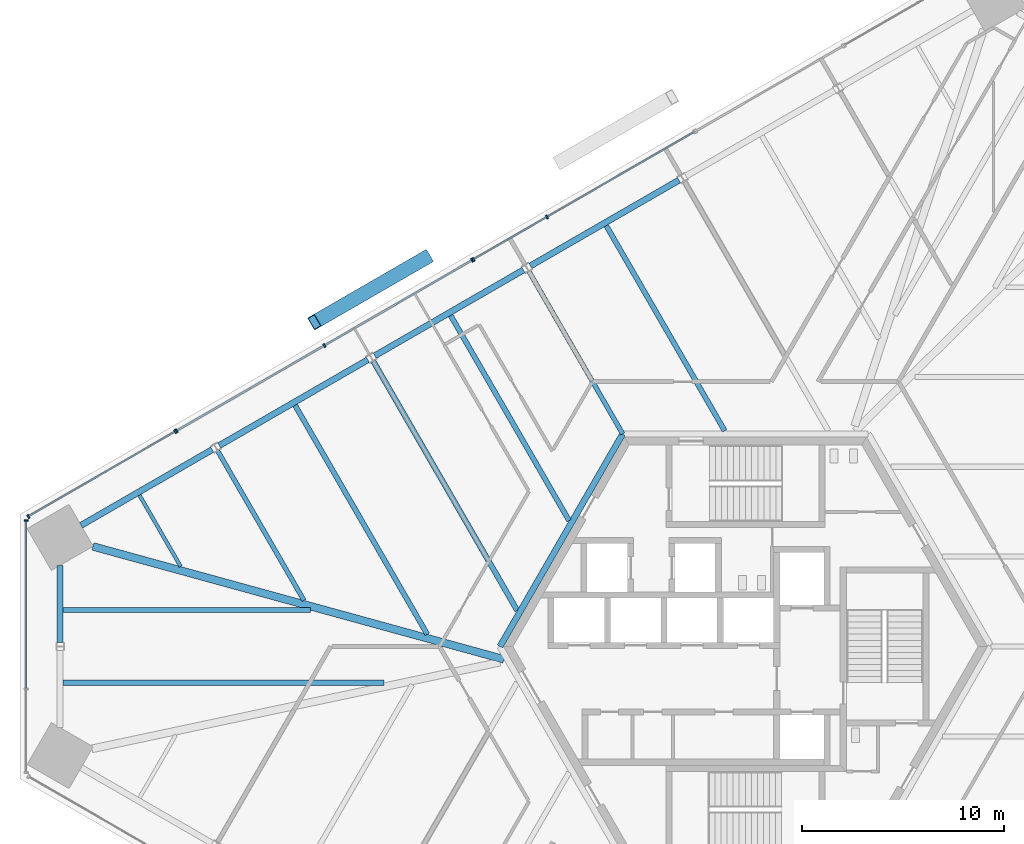
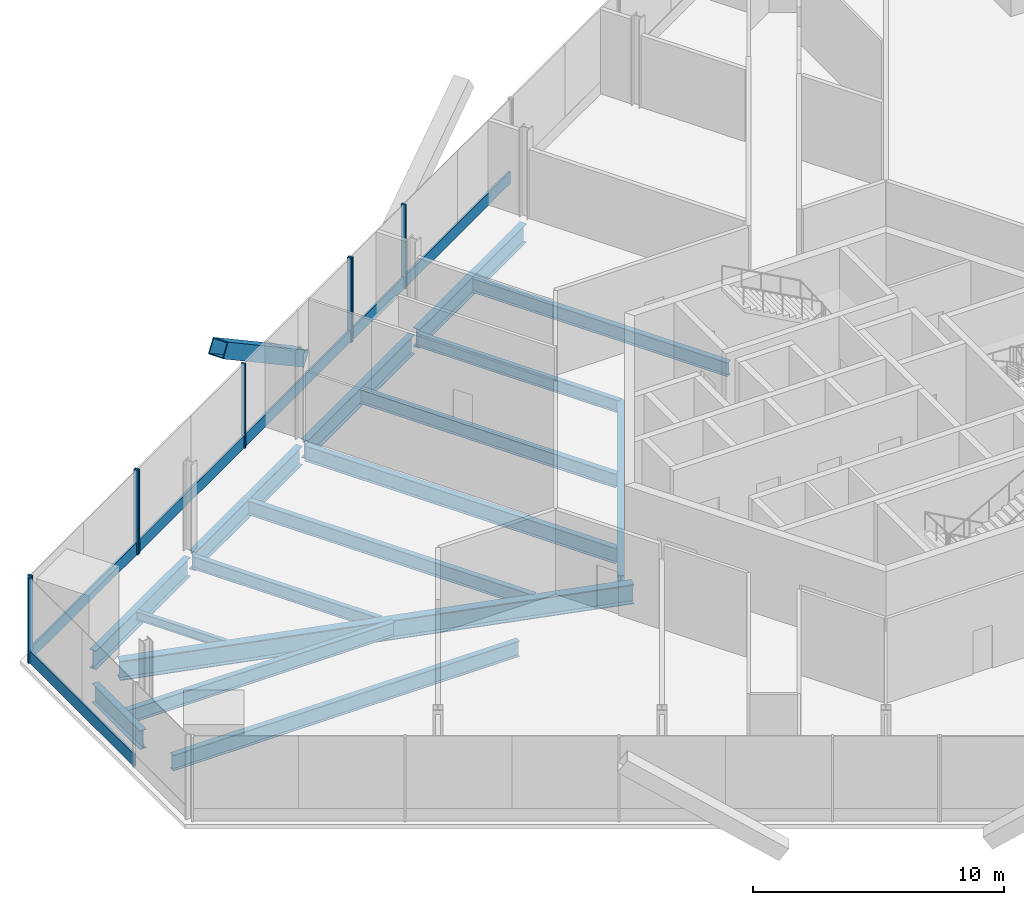
# One storey, part 6 of 16: 16 beams, 15 members, 4 elements without a shape of their own.
"""IFC4 building model written with IfcOpenShell, lengths in metres."""

from ifc_helpers import new_model, si_unit, direction, frame, origin, origin_2d, place, context, subcontext, project, spatial, rectangle, hollow_rectangle, i_section, extrude, source, transform, mapped, material, material_profile, profile_set, type_object, element, aggregate, save


model = new_model("IFC4")

# Units and contexts
model_context = context("Model", 3, precision=1e-05, world=origin(), true_north=direction((0.0, 1.0)))
body_context = subcontext(model_context, "Body", "Model", "MODEL_VIEW")
ifc_project = project(units=[si_unit("LENGTHUNIT", "METRE"), si_unit("AREAUNIT", "SQUARE_METRE"), si_unit("VOLUMEUNIT", "CUBIC_METRE"), si_unit("PLANEANGLEUNIT", "RADIAN"), si_unit("MASSUNIT", "GRAM", prefix="KILO")], contexts=[model_context])

# Site, building, storey
site_placement = place(None, origin())
site = spatial("IfcSite", under=ifc_project, at=site_placement, CompositionType="ELEMENT")
building_placement = place(site_placement, origin())
building = spatial("IfcBuilding", under=site, at=building_placement, Name="Triune Harvest Tower", CompositionType="ELEMENT")
storey_placement = place(building_placement, frame((0.0, 0.0, 37.5)))
storey = spatial("IfcBuildingStorey", under=building, at=storey_placement, Name="L08", CompositionType="ELEMENT", Elevation=37.5)

# Beams
ifc_material_1 = material(Name="Steel ASTM A992 Gr 50", Category="steel")
ifc_material_profile_1 = material_profile(ifc_material_1, i_section(OverallWidth=0.3046875, OverallDepth=0.914306640625, WebThickness=0.0166015625, FlangeThickness=0.02587890625, at=origin_2d()), Name="W36x160")
ifc_profile_set_1 = profile_set([ifc_material_profile_1], Name="Steel ASTM A992 Gr 50")
beam_type_1 = type_object("IfcBeamType", Name="CG-1 Core ring girder W36x160", PredefinedType="BEAM", material=ifc_profile_set_1)
shared_shape_1 = source(origin(), body_context, "Body", "SweptSolid", [
    extrude(i_section(OverallWidth=0.3046875, OverallDepth=0.914306640625, WebThickness=0.0166015625, FlangeThickness=0.02587890625, at=origin_2d()), origin(), (0.0, 0.0, 1.0), 12.176025390625),
])
beam_1_placement = place(storey_placement, frame((-6.087890625, 10.544677734375, -0.6572265625), z_axis=(-0.5000099932, -0.866019634131, 0.0), x_axis=(0.866019634131, -0.5000099932, 0.0)))
element("IfcBeam", 1, at=beam_1_placement, inside=storey, type_object=beam_type_1, Name="beam/L08/CG3", PredefinedType="BEAM", context=body_context, shape_type="MappedRepresentation", body=[
    mapped(shared_shape_1, transform((0.0, 0.0, 0.0), scale=1.0)),
])
ifc_material_2 = material(Name="Steel ASTM A992 Gr 50", Category="steel")
ifc_material_profile_2 = material_profile(ifc_material_2, i_section(OverallWidth=0.383544921875, OverallDepth=0.9423828125, WebThickness=0.022216796875, FlangeThickness=0.039794921875, at=origin_2d()), Name="W36x232")
ifc_profile_set_2 = profile_set([ifc_material_profile_2], Name="Steel ASTM A992 Gr 50")
beam_type_2 = type_object("IfcBeamType", Name="HG-1 Hip girder W36x232", PredefinedType="BEAM", material=ifc_profile_set_2)
shared_shape_2 = source(origin(), body_context, "Body", "SweptSolid", [
    extrude(i_section(OverallWidth=0.383544921875, OverallDepth=0.9423828125, WebThickness=0.022216796875, FlangeThickness=0.039794921875, at=origin_2d()), origin(), (0.0, 0.0, 1.0), 21.13232421875),
])
beam_2_placement = place(storey_placement, frame((-32.3623046875, 4.963134765625, -0.671142578125), z_axis=(0.964269976316, -0.264921521918, 0.0), x_axis=(0.264921521918, 0.964269976316, 0.0)))
element("IfcBeam", 2, at=beam_2_placement, inside=storey, type_object=beam_type_2, Name="beam/L08/HG4", PredefinedType="BEAM", context=body_context, shape_type="MappedRepresentation", body=[
    mapped(shared_shape_2, transform((0.0, 0.0, 0.0), scale=1.0)),
])
ifc_material_3 = material(Name="Steel ASTM A992 Gr 50", Category="steel")
ifc_material_profile_3 = material_profile(ifc_material_3, i_section(OverallWidth=0.2666015625, OverallDepth=0.7568359375, WebThickness=0.013916015625, FlangeThickness=0.019287109375, at=origin_2d()), Name="W30x108")
ifc_profile_set_3 = profile_set([ifc_material_profile_3], Name="Steel ASTM A992 Gr 50")
beam_type_3 = type_object("IfcBeamType", Name="JT-5 Floor joist W30x108", PredefinedType="JOIST", material=ifc_profile_set_3)
shared_shape_3 = source(origin(), body_context, "Body", "SweptSolid", [
    extrude(i_section(OverallWidth=0.2666015625, OverallDepth=0.7568359375, WebThickness=0.013916015625, FlangeThickness=0.019287109375, at=origin_2d()), origin(), (0.0, 0.0, 1.0), 14.2685546875),
])
beam_3_placement = place(storey_placement, frame((-18.454345703125, 14.14404296875, -0.57861328125), z_axis=(0.499987083308, -0.866032861112, 0.0), x_axis=(0.866032861112, 0.499987083308, 0.0)))
element("IfcBeam", 3, at=beam_3_placement, inside=storey, type_object=beam_type_3, Name="beam/L08/JT21", PredefinedType="JOIST", context=body_context, shape_type="MappedRepresentation", body=[
    mapped(shared_shape_3, transform((0.0, 0.0, 0.0), scale=1.0)),
])
ifc_material_4 = material(Name="Steel ASTM A992 Gr 50", Category="steel")
ifc_material_profile_4 = material_profile(ifc_material_4, i_section(OverallWidth=0.22900390625, OverallDepth=0.612060546875, WebThickness=0.011962890625, FlangeThickness=0.01953125, at=origin_2d()), Name="W24x84")
ifc_profile_set_4 = profile_set([ifc_material_profile_4], Name="Steel ASTM A992 Gr 50")
beam_type_4 = type_object("IfcBeamType", Name="JT-3 Floor joist W24x84", PredefinedType="JOIST", material=ifc_profile_set_4)
shared_shape_4 = source(origin(), body_context, "Body", "SweptSolid", [
    extrude(i_section(OverallWidth=0.22900390625, OverallDepth=0.612060546875, WebThickness=0.011962890625, FlangeThickness=0.01953125, at=origin_2d()), origin(), (0.0, 0.0, 1.0), 8.54736328125),
])
beam_4_placement = place(storey_placement, frame((-26.170654296875, 9.68896484375, -0.506103515625), z_axis=(0.500006795031, -0.866021480636, 0.0), x_axis=(0.866021480636, 0.500006795031, 0.0)))
element("IfcBeam", 4, at=beam_4_placement, inside=storey, type_object=beam_type_4, Name="beam/L08/JT23", PredefinedType="JOIST", context=body_context, shape_type="MappedRepresentation", body=[
    mapped(shared_shape_4, transform((0.0, 0.0, 0.0), scale=1.0)),
])
shared_shape_5 = source(origin(), body_context, "Body", "SweptSolid", [
    extrude(i_section(OverallWidth=0.22900390625, OverallDepth=0.612060546875, WebThickness=0.011962890625, FlangeThickness=0.01953125, at=origin_2d()), origin(), (0.0, 0.0, 1.0), 9.300537109375),
])
beam_5_placement = place(storey_placement, frame((-10.738037109375, 18.59912109375, -0.506103515625), z_axis=(0.49999285859, -0.86602952684, 0.0), x_axis=(0.86602952684, 0.49999285859, 0.0)))
element("IfcBeam", 5, at=beam_5_placement, inside=storey, type_object=beam_type_4, Name="beam/L08/JT19", PredefinedType="JOIST", context=body_context, shape_type="MappedRepresentation", body=[
    mapped(shared_shape_5, transform((0.0, 0.0, 0.0), scale=1.0)),
])
ifc_material_5 = material(Name="Steel ASTM A992 Gr 50", Category="steel")
ifc_material_profile_5 = material_profile(ifc_material_5, i_section(OverallWidth=0.3046875, OverallDepth=0.914306640625, WebThickness=0.0166015625, FlangeThickness=0.02587890625, at=origin_2d()), Name="W36x160")
ifc_profile_set_5 = profile_set([ifc_material_profile_5], Name="Steel ASTM A992 Gr 50")
beam_type_5 = type_object("IfcBeamType", Name="SB-1 Spandrel beam W36x160", PredefinedType="SPANDREL", material=ifc_profile_set_5)
shared_shape_6 = source(origin(), body_context, "Body", "SweptSolid", [
    extrude(i_section(OverallWidth=0.3046875, OverallDepth=0.914306640625, WebThickness=0.0166015625, FlangeThickness=0.02587890625, at=origin_2d()), origin(), (0.0, 0.0, 1.0), 7.508056640625),
])
beam_6_placement = place(storey_placement, frame((-26.447265625, 9.763916015625, -0.6572265625), z_axis=(-0.866033425553, -0.499986105632, 0.0), x_axis=(0.499986105632, -0.866033425553, 0.0)))
element("IfcBeam", 6, at=beam_6_placement, inside=storey, type_object=beam_type_5, Name="beam/L08/SB14", PredefinedType="SPANDREL", context=body_context, shape_type="MappedRepresentation", body=[
    mapped(shared_shape_6, transform((0.0, 0.0, 0.0), scale=1.0)),
])
shared_shape_7 = source(origin(), body_context, "Body", "SweptSolid", [
    extrude(i_section(OverallWidth=0.3046875, OverallDepth=0.914306640625, WebThickness=0.0166015625, FlangeThickness=0.02587890625, at=origin_2d()), origin(), (0.0, 0.0, 1.0), 8.506103515625),
])
for number, where, z_axis, x_axis, name in (
    (7, (-3.29833984375, 23.12890625, -0.6572265625), (-0.866030246746, -0.49999161165, 0.0), (0.49999161165, -0.866030246746, 0.0), "beam/L08/SB11"),
    (8, (-11.0146484375, 18.674072265625, -0.6572265625), (-0.866017818397, -0.500013138047, 0.0), (0.500013138047, -0.866017818397, 0.0), "beam/L08/SB12"),
    (9, (-18.73095703125, 14.218994140625, -0.6572265625), (-0.866030246746, -0.49999161165, 0.0), (0.49999161165, -0.866030246746, 0.0), "beam/L08/SB13"),
):
    element("IfcBeam", number, at=place(storey_placement, frame(where, z_axis=z_axis, x_axis=x_axis)), inside=storey, type_object=beam_type_5, Name=name, PredefinedType="SPANDREL", context=body_context, shape_type="MappedRepresentation", body=[
        mapped(shared_shape_7, transform((0.0, 0.0, 0.0), scale=1.0)),
    ])
shared_shape_8 = source(origin(), body_context, "Body", "SweptSolid", [
    extrude(i_section(OverallWidth=0.3046875, OverallDepth=0.914306640625, WebThickness=0.0166015625, FlangeThickness=0.02587890625, at=origin_2d()), origin(), (0.0, 0.0, 1.0), 3.822509765625),
])
beam_7_placement = place(storey_placement, frame((-33.988525390625, 4.0244140625, -0.6572265625), z_axis=(0.0, -1.0, 0.0), x_axis=(1.0, 0.0, 0.0)))
element("IfcBeam", 10, at=beam_7_placement, inside=storey, type_object=beam_type_5, Name="beam/L08/SB15", PredefinedType="SPANDREL", context=body_context, shape_type="MappedRepresentation", body=[
    mapped(shared_shape_8, transform((0.0, 0.0, 0.0), scale=1.0)),
])
ifc_material_6 = material(Name="Steel ASTM A992 Gr 50", Category="steel")
ifc_material_profile_6 = material_profile(ifc_material_6, i_section(OverallWidth=0.180908203125, OverallDepth=0.41650390625, WebThickness=0.010986328125, FlangeThickness=0.01806640625, at=origin_2d()), Name="W16x57")
ifc_profile_set_6 = profile_set([ifc_material_profile_6], Name="Steel ASTM A992 Gr 50")
beam_type_6 = type_object("IfcBeamType", Name="JT-1 Floor joist W16x57", PredefinedType="JOIST", material=ifc_profile_set_6)
shared_shape_9 = source(origin(), body_context, "Body", "SweptSolid", [
    extrude(i_section(OverallWidth=0.180908203125, OverallDepth=0.41650390625, WebThickness=0.010986328125, FlangeThickness=0.01806640625, at=origin_2d()), origin(), (0.0, 0.0, 1.0), 4.08642578125),
])
beam_8_placement = place(storey_placement, frame((-30.05419921875, 7.505615234375, -0.408203125), z_axis=(0.49998792433, -0.866032375563, 0.0), x_axis=(0.866032375563, 0.49998792433, 0.0)))
element("IfcBeam", 11, at=beam_8_placement, inside=storey, type_object=beam_type_6, Name="beam/L08/JT24", PredefinedType="JOIST", context=body_context, shape_type="MappedRepresentation", body=[
    mapped(shared_shape_9, transform((0.0, 0.0, 0.0), scale=1.0)),
])
ifc_material_7 = material(Name="Steel ASTM A992 Gr 50", Category="steel")
ifc_material_profile_7 = material_profile(ifc_material_7, i_section(OverallWidth=0.253662109375, OverallDepth=0.683349609375, WebThickness=0.012451171875, FlangeThickness=0.01904296875, at=origin_2d()), Name="W27x94")
ifc_profile_set_7 = profile_set([ifc_material_profile_7], Name="Steel ASTM A992 Gr 50")
beam_type_7 = type_object("IfcBeamType", Name="JT-4 Floor joist W27x94", PredefinedType="JOIST", material=ifc_profile_set_7)
shared_shape_10 = source(origin(), body_context, "Body", "SweptSolid", [
    extrude(i_section(OverallWidth=0.253662109375, OverallDepth=0.683349609375, WebThickness=0.012451171875, FlangeThickness=0.01904296875, at=origin_2d()), origin(), (0.0, 0.0, 1.0), 12.2509765625),
])
beam_9_placement = place(storey_placement, frame((-33.836181640625, 1.80322265625, -0.54150390625), z_axis=(1.0, 0.0, 0.0), x_axis=(0.0, 1.0, 0.0)))
element("IfcBeam", 12, at=beam_9_placement, inside=storey, type_object=beam_type_7, Name="beam/L08/JT25", PredefinedType="JOIST", context=body_context, shape_type="MappedRepresentation", body=[
    mapped(shared_shape_10, transform((0.0, 0.0, 0.0), scale=1.0)),
])
shared_shape_11 = source(origin(), body_context, "Body", "SweptSolid", [
    extrude(i_section(OverallWidth=0.2666015625, OverallDepth=0.7568359375, WebThickness=0.013916015625, FlangeThickness=0.019287109375, at=origin_2d()), origin(), (0.0, 0.0, 1.0), 15.90771484375),
])
beam_10_placement = place(storey_placement, frame((-33.836181640625, -1.80322265625, -0.57861328125), z_axis=(1.0, 0.0, 0.0), x_axis=(0.0, 1.0, 0.0)))
element("IfcBeam", 13, at=beam_10_placement, inside=storey, type_object=beam_type_3, Name="beam/L08/JT26", PredefinedType="JOIST", context=body_context, shape_type="MappedRepresentation", body=[
    mapped(shared_shape_11, transform((0.0, 0.0, 0.0), scale=1.0)),
])
shared_shape_12 = source(origin(), body_context, "Body", "SweptSolid", [
    extrude(i_section(OverallWidth=0.253662109375, OverallDepth=0.683349609375, WebThickness=0.012451171875, FlangeThickness=0.01904296875, at=origin_2d()), origin(), (0.0, 0.0, 1.0), 11.74755859375),
])
beam_11_placement = place(storey_placement, frame((-6.905517578125, 20.87060546875, -0.54150390625), z_axis=(0.500003693016, -0.86602327161, 0.0), x_axis=(0.86602327161, 0.500003693016, 0.0)))
element("IfcBeam", 14, at=beam_11_placement, inside=storey, type_object=beam_type_7, Name="beam/L08/JT18", PredefinedType="JOIST", context=body_context, shape_type="MappedRepresentation", body=[
    mapped(shared_shape_12, transform((0.0, 0.0, 0.0), scale=1.0)),
])
shared_shape_13 = source(origin(), body_context, "Body", "SweptSolid", [
    extrude(i_section(OverallWidth=0.253662109375, OverallDepth=0.683349609375, WebThickness=0.012451171875, FlangeThickness=0.01904296875, at=origin_2d()), origin(), (0.0, 0.0, 1.0), 11.7470703125),
])
beam_12_placement = place(storey_placement, frame((-14.62158203125, 16.41552734375, -0.54150390625), z_axis=(0.49999710518, -0.866027075103, 0.0), x_axis=(0.866027075103, 0.49999710518, 0.0)))
element("IfcBeam", 15, at=beam_12_placement, inside=storey, type_object=beam_type_7, Name="beam/L08/JT20", PredefinedType="JOIST", context=body_context, shape_type="MappedRepresentation", body=[
    mapped(shared_shape_13, transform((0.0, 0.0, 0.0), scale=1.0)),
])
shared_shape_14 = source(origin(), body_context, "Body", "SweptSolid", [
    extrude(i_section(OverallWidth=0.253662109375, OverallDepth=0.683349609375, WebThickness=0.012451171875, FlangeThickness=0.01904296875, at=origin_2d()), origin(), (0.0, 0.0, 1.0), 13.10986328125),
])
beam_13_placement = place(storey_placement, frame((-22.337890625, 11.96044921875, -0.54150390625), z_axis=(0.499998646344, -0.866026185317, 0.0), x_axis=(0.866026185317, 0.499998646344, 0.0)))
element("IfcBeam", 16, at=beam_13_placement, inside=storey, type_object=beam_type_7, Name="beam/L08/JT22", PredefinedType="JOIST", context=body_context, shape_type="MappedRepresentation", body=[
    mapped(shared_shape_14, transform((0.0, 0.0, 0.0), scale=1.0)),
])

# Member
ifc_material_8 = material(Name="Steel ASTM A572 Gr 50", Category="steel")
ifc_material_profile_8 = material_profile(ifc_material_8, hollow_rectangle(XDim=0.699951171875, YDim=0.699951171875, WallThickness=0.0400390625, at=origin_2d()), Name="Box 700x700x40")
ifc_profile_set_8 = profile_set([ifc_material_profile_8], Name="Steel ASTM A572 Gr 50")
member_type_1 = type_object("IfcMemberType", Name="BR-1 Brace Box 700x700x40", PredefinedType="BRACE", material=ifc_profile_set_8)
shared_shape_15 = source(origin(), body_context, "Body", "SweptSolid", [
    extrude(hollow_rectangle(XDim=0.699951171875, YDim=0.699951171875, WallThickness=0.0400390625, at=origin_2d()), origin(), (0.0, 0.0, 1.0), 7.728515625),
])
member_1_placement = place(storey_placement, frame((-15.818115234375, 19.2978515625, 0.0), z_axis=(-0.719604017031, -0.415462336786, 0.556382157681), x_axis=(0.499998884236, -0.86602604797, 0.0)))
element("IfcMember", 17, at=member_1_placement, inside=storey, type_object=member_type_1, Name="brace/B1-F3/d1/6", PredefinedType="BRACE", context=body_context, shape_type="MappedRepresentation", body=[
    mapped(shared_shape_15, transform((0.0, 0.0, 0.0), scale=1.0)),
])

# Curtain wall, members
ifc_material_9 = material(Name="Aluminium bronze anodised", Category="aluminium")
curtain_wall_type_1 = type_object("IfcCurtainWallType", Name="CW-3 Farm floor curtain wall", PredefinedType="NOTDEFINED", material=ifc_material_9)
curtain_wall_1_placement = place(storey_placement, origin())
curtain_wall_1 = element("IfcCurtainWall", 18, at=curtain_wall_1_placement, inside=storey, type_object=curtain_wall_type_1, Name="CW-3 B1-F3 L08 run 2001")
ifc_material_10 = material(Name="Aluminium bronze anodised", Category="aluminium")
ifc_material_profile_9 = material_profile(ifc_material_10, rectangle(XDim=0.199951171875, YDim=0.080078125, at=origin_2d()), Name="MU-3 mullion 80 x 200")
ifc_profile_set_9 = profile_set([ifc_material_profile_9], Name="Aluminium bronze anodised")
member_type_2 = type_object("IfcMemberType", Name="MU-3 mullion 80 x 200", PredefinedType="MULLION", material=ifc_profile_set_9)
shared_shape_16 = source(origin(), body_context, "Body", "SweptSolid", [
    extrude(rectangle(XDim=0.199951171875, YDim=0.080078125, at=origin_2d()), origin(), (0.0, 0.0, 1.0), 4.10009765625),
])
member_2_placement = place(storey_placement, frame((-9.845947265625, 21.30224609375, 0.0), z_axis=(0.0, 0.0, 1.0), x_axis=(0.499997723952, -0.866026717857, 0.0)))
member_2 = element("IfcMember", 19, at=member_2_placement, type_object=member_type_2, Name="CW-3 mullion B1-F3 2001.3", PredefinedType="MULLION", context=body_context, shape_type="MappedRepresentation", body=[
    mapped(shared_shape_16, transform((0.0, 0.0, 0.0), scale=1.0)),
])
member_3_placement = place(storey_placement, frame((-13.490966796875, 19.197998046875, 0.0), z_axis=(0.0, 0.0, 1.0), x_axis=(0.499997723952, -0.866026717857, 0.0)))
member_3 = element("IfcMember", 20, at=member_3_placement, type_object=member_type_2, Name="CW-3 mullion B1-F3 2001.4", PredefinedType="MULLION", context=body_context, shape_type="MappedRepresentation", body=[
    mapped(shared_shape_16, transform((0.0, 0.0, 0.0), scale=1.0)),
])

ifc_material_11 = material(Name="Aluminium bronze anodised", Category="aluminium")
curtain_wall_type_2 = type_object("IfcCurtainWallType", Name="CW-8 Farm floor curtain wall with insulated spandrel infill", PredefinedType="NOTDEFINED", material=ifc_material_11)
curtain_wall_2_placement = place(storey_placement, origin())
curtain_wall_2 = element("IfcCurtainWall", 21, at=curtain_wall_2_placement, inside=storey, type_object=curtain_wall_type_2, Name="CW-8 B1-F3 L08 run 3001")
member_4_placement = place(storey_placement, frame((-13.56005859375, 19.157958984375, 0.0), z_axis=(0.0, 0.0, 1.0), x_axis=(0.500002592159, -0.866023907196, 0.0)))
member_4 = element("IfcMember", 22, at=member_4_placement, type_object=member_type_2, Name="CW-8 mullion B1-F3 3001.1", PredefinedType="MULLION", context=body_context, shape_type="MappedRepresentation", body=[
    mapped(shared_shape_16, transform((0.0, 0.0, 0.0), scale=1.0)),
])
member_5_placement = place(storey_placement, frame((-20.884521484375, 14.92919921875, 0.0), z_axis=(0.0, 0.0, 1.0), x_axis=(0.500002592159, -0.866023907196, 0.0)))
member_5 = element("IfcMember", 23, at=member_5_placement, type_object=member_type_2, Name="CW-8 mullion B1-F3 3001.3", PredefinedType="MULLION", context=body_context, shape_type="MappedRepresentation", body=[
    mapped(shared_shape_16, transform((0.0, 0.0, 0.0), scale=1.0)),
])
member_6_placement = place(storey_placement, frame((-28.208740234375, 10.700439453125, 0.0), z_axis=(0.0, 0.0, 1.0), x_axis=(0.500002592159, -0.866023907196, 0.0)))
member_6 = element("IfcMember", 24, at=member_6_placement, type_object=member_type_2, Name="CW-8 mullion B1-F3 3001.5", PredefinedType="MULLION", context=body_context, shape_type="MappedRepresentation", body=[
    mapped(shared_shape_16, transform((0.0, 0.0, 0.0), scale=1.0)),
])

curtain_wall_3_placement = place(storey_placement, origin())
curtain_wall_3 = element("IfcCurtainWall", 25, at=curtain_wall_3_placement, inside=storey, type_object=curtain_wall_type_1, Name="CW-3 B1-F3 L08 run 4001")
member_7_placement = place(storey_placement, frame((-28.278076171875, 10.660400390625, 0.0), z_axis=(0.0, 0.0, 1.0), x_axis=(0.499995239328, -0.866028152342, 0.0)))
member_7 = element("IfcMember", 26, at=member_7_placement, type_object=member_type_2, Name="CW-3 mullion B1-F3 4001.1", PredefinedType="MULLION", context=body_context, shape_type="MappedRepresentation", body=[
    mapped(shared_shape_16, transform((0.0, 0.0, 0.0), scale=1.0)),
])
member_8_placement = place(storey_placement, frame((-35.56787109375, 6.451904296875, 0.0), z_axis=(0.0, 0.0, 1.0), x_axis=(0.499995239328, -0.866028152342, 0.0)))
member_8 = element("IfcMember", 27, at=member_8_placement, type_object=member_type_2, Name="CW-3 mullion B1-F3 4001.3", PredefinedType="MULLION", context=body_context, shape_type="MappedRepresentation", body=[
    mapped(shared_shape_16, transform((0.0, 0.0, 0.0), scale=1.0)),
])

curtain_wall_4_placement = place(storey_placement, origin())
curtain_wall_4 = element("IfcCurtainWall", 28, at=curtain_wall_4_placement, inside=storey, type_object=curtain_wall_type_1, Name="CW-3 B1-F4 L08 run 1")
member_9_placement = place(storey_placement, frame((-35.680419921875, 6.2568359375, 0.0), z_axis=(0.0, 0.0, 1.0), x_axis=(1.0, 0.0, 0.0)))
member_9 = element("IfcMember", 29, at=member_9_placement, type_object=member_type_2, Name="CW-3 mullion B1-F4 1.1", PredefinedType="MULLION", context=body_context, shape_type="MappedRepresentation", body=[
    mapped(shared_shape_16, transform((0.0, 0.0, 0.0), scale=1.0)),
])
ifc_material_12 = material(Name="Aluminium bronze anodised", Category="aluminium")
ifc_material_profile_10 = material_profile(ifc_material_12, rectangle(XDim=0.090087890625, YDim=0.60009765625, at=origin_2d()), Name="TR-3 transom 90 x 600")
ifc_profile_set_10 = profile_set([ifc_material_profile_10], Name="Aluminium bronze anodised")
member_type_3 = type_object("IfcMemberType", Name="TR-3 transom 90 x 600", PredefinedType="USERDEFINED", material=ifc_profile_set_10)
shared_shape_17 = source(origin(), body_context, "Body", "SweptSolid", [
    extrude(rectangle(XDim=0.090087890625, YDim=0.60009765625, at=origin_2d()), origin(), (0.0, 0.0, 1.0), 8.275634765625),
])
member_10_placement = place(storey_placement, frame((-35.680419921875, 6.216796875, 0.300048828125), z_axis=(0.0, -1.0, 0.0), x_axis=(1.0, 0.0, 0.0)))
member_10 = element("IfcMember", 30, at=member_10_placement, type_object=member_type_3, Name="CW-3 transom B1-F4 1.1", ObjectType="TRANSOM", PredefinedType="USERDEFINED", context=body_context, shape_type="MappedRepresentation", body=[
    mapped(shared_shape_17, transform((0.0, 0.0, 0.0), scale=1.0)),
])
aggregate(curtain_wall_4, [member_9, member_10])

# Member
shared_shape_18 = source(origin(), body_context, "Body", "SweptSolid", [
    extrude(rectangle(XDim=0.090087890625, YDim=0.60009765625, at=origin_2d()), origin(), (0.0, 0.0, 1.0), 8.37744140625),
])
member_11_placement = place(storey_placement, frame((-2.55615234375, 25.510986328125, 0.300048828125), z_axis=(-0.866026892193, -0.499997421992, 0.0), x_axis=(0.499997421992, -0.866026892193, 0.0)))
member_11 = element("IfcMember", 31, at=member_11_placement, type_object=member_type_3, Name="CW-3 transom B1-F3 2001.1", ObjectType="TRANSOM", PredefinedType="USERDEFINED", context=body_context, shape_type="MappedRepresentation", body=[
    mapped(shared_shape_18, transform((0.0, 0.0, 0.0), scale=1.0)),
])

member_12_placement = place(storey_placement, frame((-13.5947265625, 19.137939453125, 0.300048828125), z_axis=(-0.866026892193, -0.499997421992, 0.0), x_axis=(0.499997421992, -0.866026892193, 0.0)))
member_12 = element("IfcMember", 32, at=member_12_placement, type_object=member_type_3, Name="CW-8 transom B1-F3 3001.1", ObjectType="TRANSOM", PredefinedType="USERDEFINED", context=body_context, shape_type="MappedRepresentation", body=[
    mapped(shared_shape_18, transform((0.0, 0.0, 0.0), scale=1.0)),
])

member_13_placement = place(storey_placement, frame((-20.919189453125, 14.9091796875, 0.300048828125), z_axis=(-0.866026892193, -0.499997421992, 0.0), x_axis=(0.499997421992, -0.866026892193, 0.0)))
member_13 = element("IfcMember", 33, at=member_13_placement, type_object=member_type_3, Name="CW-8 transom B1-F3 3001.2", ObjectType="TRANSOM", PredefinedType="USERDEFINED", context=body_context, shape_type="MappedRepresentation", body=[
    mapped(shared_shape_18, transform((0.0, 0.0, 0.0), scale=1.0)),
])

aggregate(curtain_wall_2, [member_4, member_5, member_6, member_12, member_13])

shared_shape_19 = source(origin(), body_context, "Body", "SweptSolid", [
    extrude(rectangle(XDim=0.090087890625, YDim=0.60009765625, at=origin_2d()), origin(), (0.0, 0.0, 1.0), 4.12890625),
])
member_14_placement = place(storey_placement, frame((-9.880615234375, 21.282470703125, 0.300048828125), z_axis=(-0.866022127522, -0.500005674609, 0.0), x_axis=(0.500005674609, -0.866022127522, 0.0)))
member_14 = element("IfcMember", 34, at=member_14_placement, type_object=member_type_3, Name="CW-3 transom B1-F3 2001.2", ObjectType="TRANSOM", PredefinedType="USERDEFINED", context=body_context, shape_type="MappedRepresentation", body=[
    mapped(shared_shape_19, transform((0.0, 0.0, 0.0), scale=1.0)),
])

aggregate(curtain_wall_1, [member_2, member_3, member_11, member_14])

shared_shape_20 = source(origin(), body_context, "Body", "SweptSolid", [
    extrude(rectangle(XDim=0.090087890625, YDim=0.60009765625, at=origin_2d()), origin(), (0.0, 0.0, 1.0), 8.33740234375),
])
member_15_placement = place(storey_placement, frame((-28.312744140625, 10.640380859375, 0.300048828125), z_axis=(-0.866027105532, -0.499997052475, 0.0), x_axis=(0.499997052475, -0.866027105532, 0.0)))
member_15 = element("IfcMember", 35, at=member_15_placement, type_object=member_type_3, Name="CW-3 transom B1-F3 4001.1", ObjectType="TRANSOM", PredefinedType="USERDEFINED", context=body_context, shape_type="MappedRepresentation", body=[
    mapped(shared_shape_20, transform((0.0, 0.0, 0.0), scale=1.0)),
])

aggregate(curtain_wall_3, [member_7, member_8, member_15])

save(model, "model.ifc")
